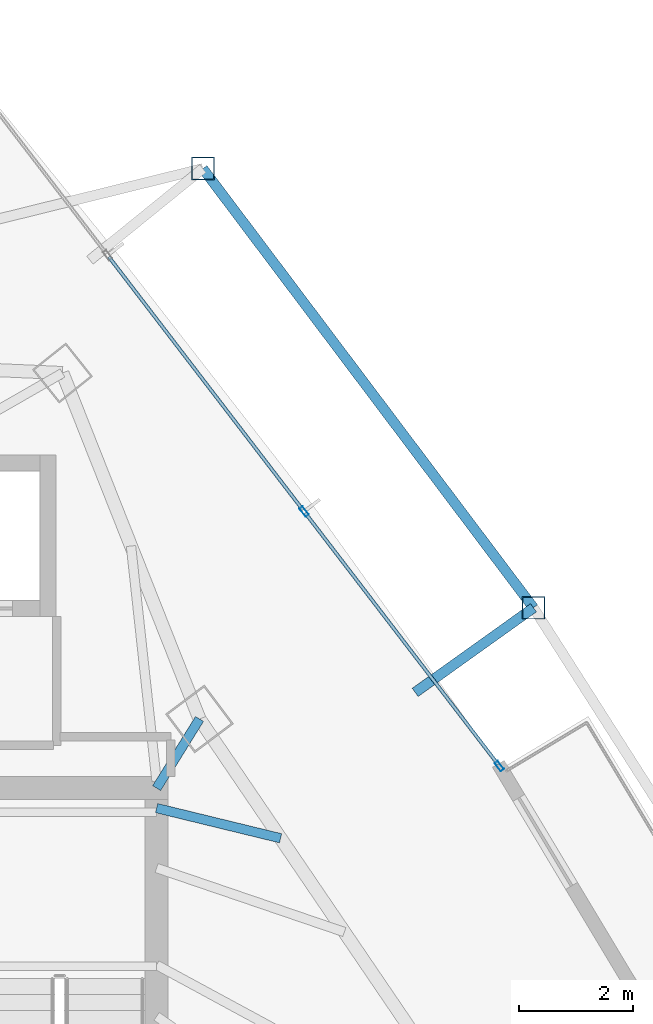
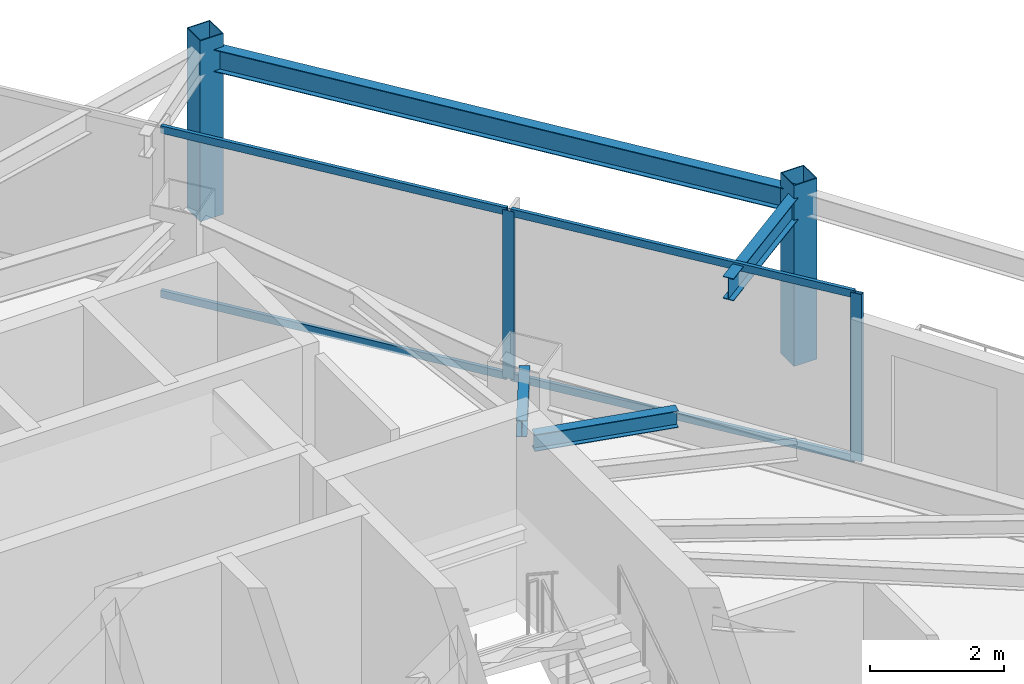
# One storey, part 23 of 30: 8 members, 4 beams, 1 element without a shape of its own.
"""IFC4 building model written with IfcOpenShell, lengths in metres."""

from ifc_helpers import new_model, si_unit, direction, frame, origin, origin_2d, place, context, subcontext, project, spatial, hollow_rectangle, i_section, extrude, material, layer, layer_set, material_profile, profile_set, type_object, element, aggregate, save


model = new_model("IFC4")

# Units and contexts
model_context = context("Model", 3, precision=1e-05, world=origin(), true_north=direction((0.0, 1.0)))
body_context = subcontext(model_context, "Body", "Model", "MODEL_VIEW")
ifc_project = project(units=[si_unit("LENGTHUNIT", "METRE"), si_unit("AREAUNIT", "SQUARE_METRE"), si_unit("VOLUMEUNIT", "CUBIC_METRE"), si_unit("PLANEANGLEUNIT", "RADIAN"), si_unit("MASSUNIT", "GRAM", prefix="KILO")], contexts=[model_context])

# Site, building, storey
site_placement = place(None, origin())
site = spatial("IfcSite", under=ifc_project, at=site_placement, CompositionType="ELEMENT")
building_placement = place(site_placement, origin())
building = spatial("IfcBuilding", under=site, at=building_placement, Name="Orvanel Arch Residences", CompositionType="ELEMENT")
storey_placement = place(building_placement, frame((0.0, 0.0, 136.39990234375)))
storey = spatial("IfcBuildingStorey", under=building, at=storey_placement, Name="L38", CompositionType="ELEMENT", Elevation=136.39990234375)

# Beams
ifc_material_1 = material(Name="Structural steel AS/NZS 3679.1 Grade 300 (300 MPa)", Category="steel")
ifc_material_profile_1 = material_profile(ifc_material_1, i_section(OverallWidth=0.1650390625, OverallDepth=0.303955078125, WebThickness=0.006103515625, FlangeThickness=0.01025390625, at=origin_2d()), Name="310UB40.4")
ifc_profile_set_1 = profile_set([ifc_material_profile_1], Name="Structural steel AS/NZS 3679.1 Grade 300 (300 MPa)")
beam_type_1 = type_object("IfcBeamType", Name="BJ-310UB", PredefinedType="JOIST", material=ifc_profile_set_1)
beam_1_placement = place(storey_placement, frame((39.60009765625, 33.89990234375, 2.908203125), z_axis=(0.526843290616, 0.84996243866, 0.0), x_axis=(-0.84996243866, 0.526843290616, 0.0)))
element("IfcBeam", 1, at=beam_1_placement, inside=storey, type_object=beam_type_1, Name="L38 NNE Wing Floor Joist", PredefinedType="JOIST", context=body_context, shape_type="SweptSolid", body=[
    extrude(i_section(OverallWidth=0.1650390625, OverallDepth=0.303955078125, WebThickness=0.006103515625, FlangeThickness=0.01025390625, at=origin_2d()), origin(), (0.0, 0.0, 1.0), 1.42724609375),
])
beam_2_placement = place(storey_placement, frame((39.60009765625, 33.550048828125, 2.908203125), z_axis=(0.971638471014, -0.236471312521, 0.0), x_axis=(0.236471312521, 0.971638471014, 0.0)))
element("IfcBeam", 2, at=beam_2_placement, inside=storey, type_object=beam_type_1, Name="L38 JADD4 Wing Floor Joist", PredefinedType="JOIST", context=body_context, shape_type="SweptSolid", body=[
    extrude(i_section(OverallWidth=0.1650390625, OverallDepth=0.303955078125, WebThickness=0.006103515625, FlangeThickness=0.01025390625, at=origin_2d()), origin(), (0.0, 0.0, 1.0), 2.2373046875),
])

# Curtain wall, members
ifc_material_2 = material(Name="Bronze-anodised aluminium AA6063-T6", Category="aluminium")
ifc_layer = layer(ifc_material_2, 0.179931640625)
ifc_layer_set = layer_set([ifc_layer], Name="Bronze-anodised aluminium AA6063-T6")
curtain_wall_type = type_object("IfcCurtainWallType", Name="CW3-MID-SYS", PredefinedType="NOTDEFINED", material=ifc_layer_set)
curtain_wall_placement = place(storey_placement, origin())
curtain_wall = element("IfcCurtainWall", 3, at=curtain_wall_placement, inside=storey, type_object=curtain_wall_type, Name="L38 CW3-MID-SYS Unitised Curtain Wall", PredefinedType="NOTDEFINED")
ifc_material_profile_2 = material_profile(ifc_material_2, hollow_rectangle(XDim=0.070068359375, YDim=0.179931640625, WallThickness=0.00439453125, at=origin_2d()), Name="ALU180x70x4.5")
ifc_profile_set_2 = profile_set([ifc_material_profile_2], Name="Bronze-anodised aluminium AA6063-T6")
member_type_1 = type_object("IfcMemberType", Name="MUL-180x70", PredefinedType="MULLION", material=ifc_profile_set_2)
member_1_placement = place(storey_placement, frame((45.608642578125, 34.286865234375, 0.0), z_axis=(0.0, 0.0, 1.0), x_axis=(-0.793544747169, -0.608511901478, 0.0)))
member_1 = element("IfcMember", 4, at=member_1_placement, type_object=member_type_1, Name="CW-S3 mullion 1", PredefinedType="MULLION", context=body_context, shape_type="SweptSolid", body=[
    extrude(hollow_rectangle(XDim=0.070068359375, YDim=0.179931640625, WallThickness=0.00439453125, at=origin_2d()), origin(), (0.0, 0.0, 1.0), 3.06005859375),
])
member_2_placement = place(storey_placement, frame((42.185546875, 38.750732421875, 0.0), z_axis=(0.0, 0.0, 1.0), x_axis=(-0.793544747169, -0.608511901478, 0.0)))
member_2 = element("IfcMember", 5, at=member_2_placement, type_object=member_type_1, Name="CW-S3 mullion 2", PredefinedType="MULLION", context=body_context, shape_type="SweptSolid", body=[
    extrude(hollow_rectangle(XDim=0.070068359375, YDim=0.179931640625, WallThickness=0.00439453125, at=origin_2d()), origin(), (0.0, 0.0, 1.0), 3.06005859375),
])

# Beams
ifc_material_profile_3 = material_profile(ifc_material_1, i_section(OverallWidth=0.177978515625, OverallDepth=0.406005859375, WebThickness=0.0078125, FlangeThickness=0.0126953125, at=origin_2d()), Name="410UB59.7")
ifc_profile_set_3 = profile_set([ifc_material_profile_3], Name="Structural steel AS/NZS 3679.1 Grade 300 (300 MPa)")
beam_type_2 = type_object("IfcBeamType", Name="OB-410UB-EXT", PredefinedType="SPANDREL", material=ifc_profile_set_3)
beam_3_placement = place(storey_placement, frame((44.133056640625, 35.5791015625, 2.857177734375), z_axis=(0.813584679456, 0.581446445819, 0.0), x_axis=(-0.581446445819, 0.813584679456, 0.0)))
element("IfcBeam", 6, at=beam_3_placement, inside=storey, type_object=beam_type_2, Name="L38 Outer Frame Radial Tie Beam 11", PredefinedType="SPANDREL", context=body_context, shape_type="SweptSolid", body=[
    extrude(i_section(OverallWidth=0.177978515625, OverallDepth=0.406005859375, WebThickness=0.0078125, FlangeThickness=0.0126953125, at=origin_2d()), origin(), (0.0, 0.0, 1.0), 2.55029296875),
])
beam_4_placement = place(storey_placement, frame((46.2080078125, 37.06201171875, 2.857177734375), z_axis=(-0.601421491273, 0.798931905631, 0.0), x_axis=(-0.798931905631, -0.601421491273, 0.0)))
element("IfcBeam", 7, at=beam_4_placement, inside=storey, type_object=beam_type_2, Name="L38 Outer Perimeter Floor Ring Beam 11", PredefinedType="SPANDREL", context=body_context, shape_type="SweptSolid", body=[
    extrude(i_section(OverallWidth=0.177978515625, OverallDepth=0.406005859375, WebThickness=0.0078125, FlangeThickness=0.0126953125, at=origin_2d()), origin(), (0.0, 0.0, 1.0), 9.638916015625),
])

# Members
ifc_material_3 = material(Name="Structural steel AS/NZS 1163 C450L0 (Grade 450)", Category="steel")
ifc_material_profile_4 = material_profile(ifc_material_3, hollow_rectangle(XDim=0.39990234375, YDim=0.39990234375, WallThickness=0.01611328125, at=origin_2d()), Name="SHS400x400x16")
ifc_profile_set_4 = profile_set([ifc_material_profile_4], Name="Structural steel AS/NZS 1163 C450L0 (Grade 450)")
member_type_2 = type_object("IfcMemberType", Name="ST-400SHS-EXT", PredefinedType="STRUT", material=ifc_profile_set_4)
for number, where, z_axis, x_axis, name in (
    (8, (46.2080078125, 37.06201171875, 0.0), (0.0, 0.0, 1.0), (1.0, 0.0, 0.0), "L38 Outer Perimeter Frame Post 11"),
    (9, (40.410888671875, 44.762939453125, 0.0), (0.0, 0.0, 1.0), (1.0, 0.0, 0.0), "L38 Outer Perimeter Frame Post 12"),
):
    element("IfcMember", number, at=place(storey_placement, frame(where, z_axis=z_axis, x_axis=x_axis)), inside=storey, type_object=member_type_2, Name=name, PredefinedType="STRUT", context=body_context, shape_type="SweptSolid", body=[
        extrude(hollow_rectangle(XDim=0.39990234375, YDim=0.39990234375, WallThickness=0.01611328125, at=origin_2d()), origin(), (0.0, 0.0, 1.0), 3.300048828125),
    ])

# Member
ifc_material_profile_5 = material_profile(ifc_material_2, hollow_rectangle(XDim=0.06005859375, YDim=0.135009765625, WallThickness=0.00390625, at=origin_2d()), Name="ALU135x60x4")
ifc_profile_set_5 = profile_set([ifc_material_profile_5], Name="Bronze-anodised aluminium AA6063-T6")
member_type_3 = type_object("IfcMemberType", Name="TRN-135x60", PredefinedType="USERDEFINED", material=ifc_profile_set_5)
member_3_placement = place(storey_placement, frame((45.58740234375, 34.314453125, 0.030029296875), z_axis=(-0.608495202332, 0.793557552254, 0.0), x_axis=(-0.793557552254, -0.608495202332, 0.0)))
member_3 = element("IfcMember", 10, at=member_3_placement, type_object=member_type_3, Name="CW-S3 transom 1.1", ObjectType="TRANSOM", PredefinedType="USERDEFINED", context=body_context, shape_type="SweptSolid", body=[
    extrude(hollow_rectangle(XDim=0.06005859375, YDim=0.135009765625, WallThickness=0.00390625, at=origin_2d()), origin(), (0.0, 0.0, 1.0), 5.55517578125),
])

member_4_placement = place(storey_placement, frame((45.58740234375, 34.314453125, 3.030029296875), z_axis=(-0.608495202332, 0.793557552254, 0.0), x_axis=(-0.793557552254, -0.608495202332, 0.0)))
member_4 = element("IfcMember", 11, at=member_4_placement, type_object=member_type_3, Name="CW-S3 transom 1.2", ObjectType="TRANSOM", PredefinedType="USERDEFINED", context=body_context, shape_type="SweptSolid", body=[
    extrude(hollow_rectangle(XDim=0.06005859375, YDim=0.135009765625, WallThickness=0.00390625, at=origin_2d()), origin(), (0.0, 0.0, 1.0), 5.55517578125),
])

member_5_placement = place(storey_placement, frame((42.164306640625, 38.7783203125, 0.030029296875), z_axis=(-0.608483802201, 0.793566293676, 0.0), x_axis=(-0.793566293676, -0.608483802201, 0.0)))
member_5 = element("IfcMember", 12, at=member_5_placement, type_object=member_type_3, Name="CW-S3 transom 2.1", ObjectType="TRANSOM", PredefinedType="USERDEFINED", context=body_context, shape_type="SweptSolid", body=[
    extrude(hollow_rectangle(XDim=0.06005859375, YDim=0.135009765625, WallThickness=0.00390625, at=origin_2d()), origin(), (0.0, 0.0, 1.0), 5.59033203125),
])

member_6_placement = place(storey_placement, frame((42.164306640625, 38.7783203125, 3.030029296875), z_axis=(-0.608483802201, 0.793566293676, 0.0), x_axis=(-0.793566293676, -0.608483802201, 0.0)))
member_6 = element("IfcMember", 13, at=member_6_placement, type_object=member_type_3, Name="CW-S3 transom 2.2", ObjectType="TRANSOM", PredefinedType="USERDEFINED", context=body_context, shape_type="SweptSolid", body=[
    extrude(hollow_rectangle(XDim=0.06005859375, YDim=0.135009765625, WallThickness=0.00390625, at=origin_2d()), origin(), (0.0, 0.0, 1.0), 5.59033203125),
])

aggregate(curtain_wall, [member_1, member_2, member_3, member_4, member_5, member_6])

save(model, "model.ifc")
